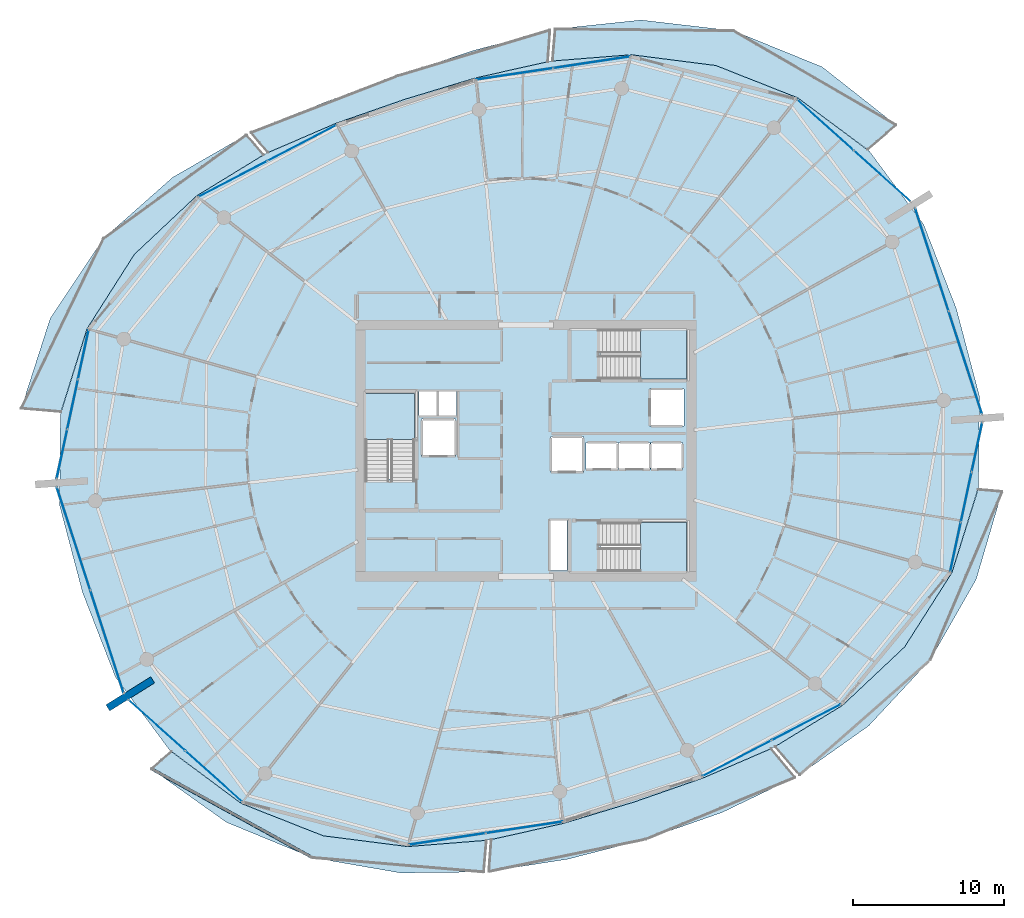
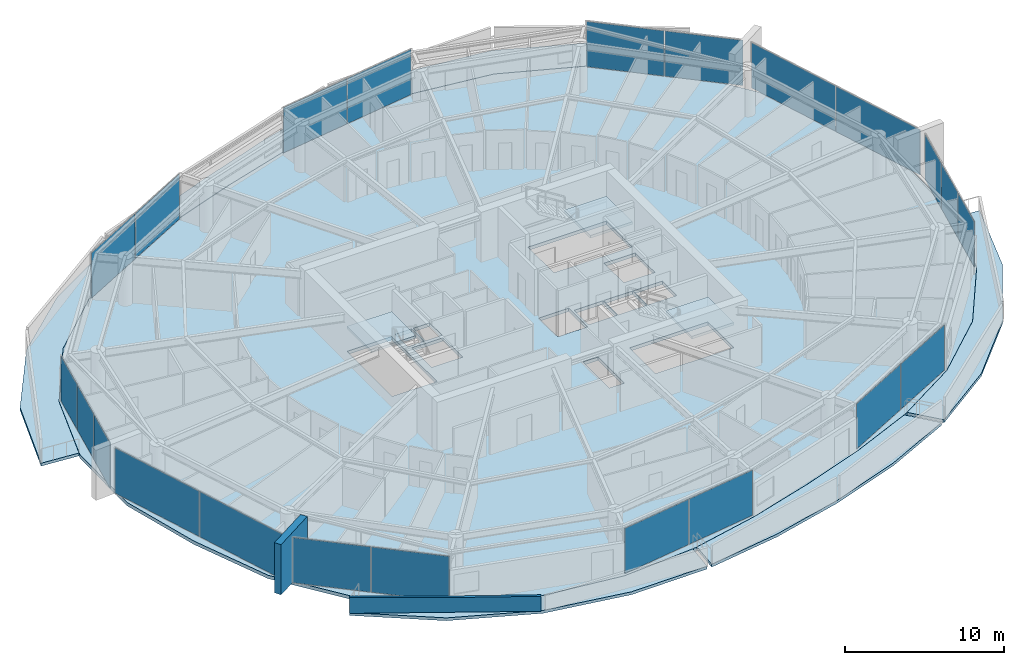
# One storey, part 17 of 31: 22 plates, 10 slabs, 2 walls, 13 elements without a shape of their own.
"""IFC4 building model written with IfcOpenShell, lengths in metres."""

import ifcopenshell
import ifcopenshell.guid

model = None  # the IFC model being written
_history = None  # IfcOwnerHistory: only IFC2X3 demands one
_inside = {}  # id of a spatial element -> (the spatial element, [elements in it])
_under = {}  # id of a project, library or spatial element -> (it, [spatial elements below it])
_declared = {}  # id of a project -> (the project, [libraries it declares])
_typed = {}  # id of a type object -> (the type object, [elements of that type])
_made_of = {}  # id of a material, layer set ... -> (it, [elements and type objects made of it])


def new_model(schema):
    """Start an empty IFC model of exactly this schema.

    Asked for "IFC4X3", IfcOpenShell would pick the latest addendum, in which some entities
    have other attributes; the version numbers below select the first issue.
    IFC2X3 requires an IfcOwnerHistory on every rooted entity: one is made here for all.
    """
    global model, _history
    if schema == "IFC4X3":
        model = ifcopenshell.file(schema_version=(4, 3, 0, 0))
    else:
        model = ifcopenshell.file(schema=schema)
    _inside.clear()
    _under.clear()
    _declared.clear()
    _typed.clear()
    _made_of.clear()
    _history = None
    if model.schema == "IFC2X3":
        org = make("IfcOrganization", Name="unknown")
        user = make(
            "IfcPersonAndOrganization",
            ThePerson=make("IfcPerson", FamilyName="unknown"),
            TheOrganization=org,
        )
        app = make(
            "IfcApplication",
            ApplicationDeveloper=org,
            Version="unknown",
            ApplicationFullName="unknown",
            ApplicationIdentifier="unknown",
        )
        _history = make(
            "IfcOwnerHistory",
            OwningUser=user,
            OwningApplication=app,
            ChangeAction="ADDED",
            CreationDate=0,
        )
    return model


def make(cls, **values):
    """One entity of the class cls with the attributes given. An attribute that is None is left unset."""
    return model.create_entity(
        cls, **{name: value for name, value in values.items() if value is not None}
    )


def rooted(cls, **values):
    """An entity with a GlobalId (a new one), such as an element, a storey or a relation."""
    return make(cls, GlobalId=ifcopenshell.guid.new(), OwnerHistory=_history, **values)


def si_unit(unit_type, name, prefix=None):
    """IfcSIUnit, for example si_unit("LENGTHUNIT", "METRE", prefix="MILLI")."""
    return make("IfcSIUnit", UnitType=unit_type, Prefix=prefix, Name=name)


def assignment(units):
    """IfcUnitAssignment: the units of a project."""
    return None if units is None else make("IfcUnitAssignment", Units=units)


def point(xyz):
    """IfcCartesianPoint."""
    return None if xyz is None else make("IfcCartesianPoint", Coordinates=xyz)


def direction(xyz):
    """IfcDirection."""
    return None if xyz is None else make("IfcDirection", DirectionRatios=xyz)


def frame(location, z_axis=None, x_axis=None):
    """IfcAxis2Placement3D, a coordinate frame: its origin and axes. An axis left out is left unset."""
    return make(
        "IfcAxis2Placement3D",
        Location=point(location),
        Axis=direction(z_axis),
        RefDirection=direction(x_axis),
    )


def frame_2d(location, x_axis=None):
    """IfcAxis2Placement2D, a coordinate frame in the plane: its origin and x axis."""
    return make(
        "IfcAxis2Placement2D", Location=point(location), RefDirection=direction(x_axis)
    )


def origin():
    """The frame at (0, 0, 0) with its axes left unset."""
    return frame((0.0, 0.0, 0.0))


def origin_2d():
    """The frame at (0, 0) in the plane with its x axis left unset."""
    return frame_2d((0.0, 0.0))


def place(relative_to, where):
    """IfcLocalPlacement: puts the frame where relative to a parent placement (None: the world)."""
    return make(
        "IfcLocalPlacement", PlacementRelTo=relative_to, RelativePlacement=where
    )


def context(
    kind, dimensions, precision=None, world=None, true_north=None, identifier=None
):
    """IfcGeometricRepresentationContext, for example the 3D "Model" context."""
    return make(
        "IfcGeometricRepresentationContext",
        ContextIdentifier=identifier,
        ContextType=kind,
        CoordinateSpaceDimension=dimensions,
        Precision=precision,
        WorldCoordinateSystem=world,
        TrueNorth=true_north,
    )


def subcontext(parent, identifier, kind, view, scale=None):
    """IfcGeometricRepresentationSubContext, for example "Body" below "Model"."""
    return make(
        "IfcGeometricRepresentationSubContext",
        ContextIdentifier=identifier,
        ContextType=kind,
        ParentContext=parent,
        TargetScale=scale,
        TargetView=view,
    )


def project(units=None, contexts=None):
    """IfcProject with its units and contexts."""
    return rooted(
        "IfcProject",
        Name="project",
        RepresentationContexts=contexts,
        UnitsInContext=assignment(units),
    )


def spatial(cls, under=None, at=None, **own):
    """A site, building, storey or space (cls), placed at a placement, below another one or the project."""
    s = rooted(cls, ObjectPlacement=at, **own)
    if under is not None:
        _under.setdefault(under.id(), (under, []))[1].append(s)
    return s


def polyline(points):
    """IfcPolyline through the points."""
    return make("IfcPolyline", Points=[point(p) for p in points])


def profile(cls, at=None, kind="AREA", **sizes):
    """A parametric profile (cls). Its sizes go by their IFC names, for example OverallWidth=200.0."""
    return make(cls, ProfileType=kind, Position=at, **sizes)


def rectangle(**sizes):
    """IfcRectangleProfileDef."""
    return profile("IfcRectangleProfileDef", **sizes)


def outline(outer, holes=None, kind="AREA"):
    """IfcArbitraryClosedProfileDef: a profile drawn as a closed curve; with holes, ...WithVoids."""
    if holes is None:
        return make("IfcArbitraryClosedProfileDef", ProfileType=kind, OuterCurve=outer)
    return make(
        "IfcArbitraryProfileDefWithVoids",
        ProfileType=kind,
        OuterCurve=outer,
        InnerCurves=holes,
    )


def extrude(swept, where, along, depth):
    """IfcExtrudedAreaSolid: the profile swept, set in the frame where, extruded along a direction by depth."""
    return make(
        "IfcExtrudedAreaSolid",
        SweptArea=swept,
        Position=where,
        ExtrudedDirection=direction(along),
        Depth=depth,
    )


def shape(context_of_items, identifier, shape_type, items):
    """IfcShapeRepresentation: the items that make up one representation, for example the "Body"."""
    return make(
        "IfcShapeRepresentation",
        ContextOfItems=context_of_items,
        RepresentationIdentifier=identifier,
        RepresentationType=shape_type,
        Items=items,
    )


def material(Name=None, Category=None):
    """IfcMaterial."""
    return make("IfcMaterial", Name=Name, Category=Category)


def layer(
    of_material, thickness, ventilated=None, Name=None, Category=None, Priority=None
):
    """IfcMaterialLayer: one layer of a wall or slab, of a material (None: an air gap)."""
    return make(
        "IfcMaterialLayer",
        Material=of_material,
        LayerThickness=thickness,
        IsVentilated=ventilated,
        Name=Name,
        Category=Category,
        Priority=Priority,
    )


def layer_set(layers, Name=None):
    """IfcMaterialLayerSet."""
    return make("IfcMaterialLayerSet", MaterialLayers=layers, LayerSetName=Name)


def made_of(thing, what):
    """Note that an element or type object is made of a material, layer set ...; save() writes the relation."""
    if what is not None:
        _made_of.setdefault(what.id(), (what, []))[1].append(thing)
    return thing


def type_object(cls, material=None, **own):
    """A type object (cls), such as IfcWallType, which elements share."""
    return made_of(rooted(cls, **own), material)


def element(
    cls,
    number,
    at=None,
    inside=None,
    cuts=None,
    type_object=None,
    material=None,
    context=None,
    identifier="Body",
    shape_type=None,
    held_by="IfcProductDefinitionShape",
    body=None,
    shapes=None,
    **own,
):
    """One element of the class cls, such as IfcWall. Its Tag is "e" and its number.

    at: its placement. inside: the storey or other place that contains it. cuts: it is an
    opening in that element (IfcRelVoidsElement). A single representation is given by context,
    identifier, shape_type and body (its items); several are given by shapes. held_by: the class
    of the entity that holds the representations. save() writes the other relations.
    """
    e = rooted(cls, Tag="e%d" % number, ObjectPlacement=at, **own)
    if body is not None:
        shapes = [shape(context, identifier, shape_type, body)]
    if shapes is not None:
        e.Representation = make(held_by, Representations=shapes)
    if inside is not None:
        _inside.setdefault(inside.id(), (inside, []))[1].append(e)
    if cuts is not None:
        rooted(
            "IfcRelVoidsElement", RelatingBuildingElement=cuts, RelatedOpeningElement=e
        )
    if type_object is not None:
        _typed.setdefault(type_object.id(), (type_object, []))[1].append(e)
    return made_of(e, material)


def aggregate(whole, parts):
    """IfcRelAggregates: a whole, such as a stair, and the parts it consists of."""
    return rooted("IfcRelAggregates", RelatingObject=whole, RelatedObjects=parts)


def save(model, path):
    """Write the relations noted so far, then the file.

    IfcRelAggregates (storeys below a building ...), IfcRelContainedInSpatialStructure (elements
    in a storey), IfcRelDefinesByType, IfcRelAssociatesMaterial and IfcRelDeclares: one each for
    every whole, place, type object, material and project.
    """
    for whole, parts in _under.values():
        aggregate(whole, parts)
    for where, things in _inside.values():
        rooted(
            "IfcRelContainedInSpatialStructure",
            RelatedElements=things,
            RelatingStructure=where,
        )
    for kind, things in _typed.values():
        rooted("IfcRelDefinesByType", RelatedObjects=things, RelatingType=kind)
    for what, things in _made_of.values():
        rooted("IfcRelAssociatesMaterial", RelatedObjects=things, RelatingMaterial=what)
    for by, libraries in _declared.values():
        rooted("IfcRelDeclares", RelatingContext=by, RelatedDefinitions=libraries)
    model.write(path)


model = new_model("IFC4")

# Units and contexts
model_context = context("Model", 3, precision=1e-05, world=origin(), true_north=direction((0.0, 1.0)))
body_context = subcontext(model_context, "Body", "Model", "MODEL_VIEW")
ifc_project = project(units=[si_unit("LENGTHUNIT", "METRE"), si_unit("AREAUNIT", "SQUARE_METRE"), si_unit("VOLUMEUNIT", "CUBIC_METRE"), si_unit("PLANEANGLEUNIT", "RADIAN"), si_unit("MASSUNIT", "GRAM", prefix="KILO")], contexts=[model_context])

# Site, building, storey
site_placement = place(None, origin())
site = spatial("IfcSite", under=ifc_project, at=site_placement, CompositionType="ELEMENT")
building_placement = place(site_placement, origin())
building = spatial("IfcBuilding", under=site, at=building_placement, Name="Kazma Halo Residences", CompositionType="ELEMENT")
storey_placement = place(building_placement, frame((0.0, 0.0, 259.800048828125)))
storey = spatial("IfcBuildingStorey", under=building, at=storey_placement, Name="L65", CompositionType="ELEMENT", Elevation=259.800048828125)

# Curtain wall, plates
ifc_material_1 = material(Name="Aluminium AW-6063 T6 and Triple-Silver Low-E Glass", Category="aluminium")
ifc_layer_1 = layer(ifc_material_1, 0.139892578125)
ifc_layer_set_1 = layer_set([ifc_layer_1], Name="Aluminium AW-6063 T6 and Triple-Silver Low-E Glass")
curtain_wall_type = type_object("IfcCurtainWallType", Name="CW-SYS-5", PredefinedType="NOTDEFINED", material=ifc_layer_set_1)
curtain_wall_1_placement = place(storey_placement, origin())
curtain_wall_1 = element("IfcCurtainWall", 1, at=curtain_wall_1_placement, inside=storey, type_object=curtain_wall_type, Name="L65 unitised curtain wall B01", PredefinedType="NOTDEFINED")
ifc_material_2 = material(Name="Clear Triple-Silver Low-E Glass IGU", Category="glass")
ifc_layer_2 = layer(ifc_material_2, 0.02587890625)
ifc_layer_set_2 = layer_set([ifc_layer_2], Name="Clear Triple-Silver Low-E Glass IGU")
plate_type = type_object("IfcPlateType", Name="CW-SYS-5-PNL", PredefinedType="CURTAIN_PANEL", material=ifc_layer_set_2)
plate_1_placement = place(storey_placement, frame((72.002685546875, 60.179443359375, 0.06005859375), z_axis=(0.0, 0.0, 1.0), x_axis=(-0.744336424671, 0.667804826958, 0.0)))
plate_1 = element("IfcPlate", 2, at=plate_1_placement, type_object=plate_type, Name="CWS-5 panel 1.1", PredefinedType="CURTAIN_PANEL", context=body_context, shape_type="SweptSolid", body=[
    extrude(rectangle(XDim=4.993408203125, YDim=0.02587890625, at=origin_2d()), origin(), (0.0, 0.0, 1.0), 3.469970703125),
])
plate_2_placement = place(storey_placement, frame((68.2412109375, 63.55419921875, 0.06005859375), z_axis=(0.0, 0.0, 1.0), x_axis=(-0.744336424671, 0.667804826958, 0.0)))
plate_2 = element("IfcPlate", 3, at=plate_2_placement, type_object=plate_type, Name="CWS-5 panel 2.1", PredefinedType="CURTAIN_PANEL", context=body_context, shape_type="SweptSolid", body=[
    extrude(rectangle(XDim=4.993408203125, YDim=0.02587890625, at=origin_2d()), origin(), (0.0, 0.0, 1.0), 3.469970703125),
])
aggregate(curtain_wall_1, [plate_1, plate_2])

curtain_wall_2_placement = place(storey_placement, origin())
curtain_wall_2 = element("IfcCurtainWall", 4, at=curtain_wall_2_placement, inside=storey, type_object=curtain_wall_type, Name="L65 unitised curtain wall B03", PredefinedType="NOTDEFINED")
plate_3_placement = place(storey_placement, frame((52.77783203125, 67.70361328125, 0.06005859375), z_axis=(0.0, 0.0, 1.0), x_axis=(-0.988882792998, -0.148697080374, 0.0)))
plate_3 = element("IfcPlate", 5, at=plate_3_placement, type_object=plate_type, Name="CWS-5 panel 1.1", PredefinedType="CURTAIN_PANEL", context=body_context, shape_type="SweptSolid", body=[
    extrude(rectangle(XDim=5.099853515625, YDim=0.02587890625, at=origin_2d()), origin(), (0.0, 0.0, 1.0), 3.469970703125),
])
plate_4_placement = place(storey_placement, frame((47.67529296875, 66.936279296875, 0.06005859375), z_axis=(0.0, 0.0, 1.0), x_axis=(-0.988882792998, -0.148697080374, 0.0)))
plate_4 = element("IfcPlate", 6, at=plate_4_placement, type_object=plate_type, Name="CWS-5 panel 2.1", PredefinedType="CURTAIN_PANEL", context=body_context, shape_type="SweptSolid", body=[
    extrude(rectangle(XDim=5.099853515625, YDim=0.02587890625, at=origin_2d()), origin(), (0.0, 0.0, 1.0), 3.469970703125),
])
aggregate(curtain_wall_2, [plate_3, plate_4])

curtain_wall_3_placement = place(storey_placement, origin())
curtain_wall_3 = element("IfcCurtainWall", 7, at=curtain_wall_3_placement, inside=storey, type_object=curtain_wall_type, Name="L65 unitised curtain wall B05", PredefinedType="NOTDEFINED")
plate_5_placement = place(storey_placement, frame((33.60546875, 62.36474609375, 0.06005859375), z_axis=(0.0, 0.0, 1.0), x_axis=(-0.887420518694, -0.460960760804, 0.0)))
plate_5 = element("IfcPlate", 8, at=plate_5_placement, type_object=plate_type, Name="CWS-5 panel 1.1", PredefinedType="CURTAIN_PANEL", context=body_context, shape_type="SweptSolid", body=[
    extrude(rectangle(XDim=5.099609375, YDim=0.02587890625, at=origin_2d()), origin(), (0.0, 0.0, 1.0), 3.469970703125),
])
plate_6_placement = place(storey_placement, frame((29.026611328125, 59.986328125, 0.06005859375), z_axis=(0.0, 0.0, 1.0), x_axis=(-0.887420518694, -0.460960760804, 0.0)))
plate_6 = element("IfcPlate", 9, at=plate_6_placement, type_object=plate_type, Name="CWS-5 panel 2.1", PredefinedType="CURTAIN_PANEL", context=body_context, shape_type="SweptSolid", body=[
    extrude(rectangle(XDim=5.099609375, YDim=0.02587890625, at=origin_2d()), origin(), (0.0, 0.0, 1.0), 3.469970703125),
])
aggregate(curtain_wall_3, [plate_5, plate_6])

curtain_wall_4_placement = place(storey_placement, origin())
curtain_wall_4 = element("IfcCurtainWall", 10, at=curtain_wall_4_placement, inside=storey, type_object=curtain_wall_type, Name="L65 unitised curtain wall B07", PredefinedType="NOTDEFINED")
plate_7_placement = place(storey_placement, frame((19.133056640625, 48.36865234375, 0.06005859375), z_axis=(0.0, 0.0, 1.0), x_axis=(-0.209657382603, -0.97777491373, 0.0)))
plate_7 = element("IfcPlate", 11, at=plate_7_placement, type_object=plate_type, Name="CWS-5 panel 1.1", PredefinedType="CURTAIN_PANEL", context=body_context, shape_type="SweptSolid", body=[
    extrude(rectangle(XDim=3.299072265625, YDim=0.02587890625, at=origin_2d()), origin(), (0.0, 0.0, 1.0), 3.469970703125),
])
plate_8_placement = place(storey_placement, frame((18.42578125, 45.069580078125, 0.06005859375), z_axis=(0.0, 0.0, 1.0), x_axis=(-0.209657382603, -0.97777491373, 0.0)))
plate_8 = element("IfcPlate", 12, at=plate_8_placement, type_object=plate_type, Name="CWS-5 panel 2.1", PredefinedType="CURTAIN_PANEL", context=body_context, shape_type="SweptSolid", body=[
    extrude(rectangle(XDim=3.3291015625, YDim=0.02587890625, at=origin_2d()), origin(), (0.0, 0.0, 1.0), 3.469970703125),
])
plate_9_placement = place(storey_placement, frame((17.71826171875, 41.7705078125, 0.06005859375), z_axis=(0.0, 0.0, 1.0), x_axis=(-0.209657382603, -0.97777491373, 0.0)))
plate_9 = element("IfcPlate", 13, at=plate_9_placement, type_object=plate_type, Name="CWS-5 panel 3.1", PredefinedType="CURTAIN_PANEL", context=body_context, shape_type="SweptSolid", body=[
    extrude(rectangle(XDim=3.299072265625, YDim=0.02587890625, at=origin_2d()), origin(), (0.0, 0.0, 1.0), 3.469970703125),
])
aggregate(curtain_wall_4, [plate_7, plate_8, plate_9])

curtain_wall_5_placement = place(storey_placement, origin())
curtain_wall_5 = element("IfcCurtainWall", 14, at=curtain_wall_5_placement, inside=storey, type_object=curtain_wall_type, Name="L65 unitised curtain wall B08", PredefinedType="NOTDEFINED")
plate_10_placement = place(storey_placement, frame((18.48486328125, 36.1787109375, 0.06005859375), z_axis=(0.0, 0.0, 1.0), x_axis=(0.309010998786, -0.951058464359, 0.0)))
plate_10 = element("IfcPlate", 15, at=plate_10_placement, type_object=plate_type, Name="CWS-5 panel 1.1", PredefinedType="CURTAIN_PANEL", context=body_context, shape_type="SweptSolid", body=[
    extrude(rectangle(XDim=7.108642578125, YDim=0.02587890625, at=origin_2d()), origin(), (0.0, 0.0, 1.0), 3.469970703125),
])
plate_11_placement = place(storey_placement, frame((20.699951171875, 29.36083984375, 0.06005859375), z_axis=(0.0, 0.0, 1.0), x_axis=(0.309010998786, -0.951058464359, 0.0)))
plate_11 = element("IfcPlate", 16, at=plate_11_placement, type_object=plate_type, Name="CWS-5 panel 2.1", PredefinedType="CURTAIN_PANEL", context=body_context, shape_type="SweptSolid", body=[
    extrude(rectangle(XDim=7.108642578125, YDim=0.02587890625, at=origin_2d()), origin(), (0.0, 0.0, 1.0), 3.469970703125),
])
aggregate(curtain_wall_5, [plate_10, plate_11])

curtain_wall_6_placement = place(storey_placement, origin())
curtain_wall_6 = element("IfcCurtainWall", 17, at=curtain_wall_6_placement, inside=storey, type_object=curtain_wall_type, Name="L65 unitised curtain wall B09", PredefinedType="NOTDEFINED")
plate_12_placement = place(storey_placement, frame((23.997314453125, 23.820556640625, 0.06005859375), z_axis=(0.0, 0.0, 1.0), x_axis=(0.744336424671, -0.667804826958, 0.0)))
plate_12 = element("IfcPlate", 18, at=plate_12_placement, type_object=plate_type, Name="CWS-5 panel 1.1", PredefinedType="CURTAIN_PANEL", context=body_context, shape_type="SweptSolid", body=[
    extrude(rectangle(XDim=4.993408203125, YDim=0.02587890625, at=origin_2d()), origin(), (0.0, 0.0, 1.0), 3.469970703125),
])
plate_13_placement = place(storey_placement, frame((27.7587890625, 20.44580078125, 0.06005859375), z_axis=(0.0, 0.0, 1.0), x_axis=(0.744336424671, -0.667804826958, 0.0)))
plate_13 = element("IfcPlate", 19, at=plate_13_placement, type_object=plate_type, Name="CWS-5 panel 2.1", PredefinedType="CURTAIN_PANEL", context=body_context, shape_type="SweptSolid", body=[
    extrude(rectangle(XDim=4.993408203125, YDim=0.02587890625, at=origin_2d()), origin(), (0.0, 0.0, 1.0), 3.469970703125),
])
aggregate(curtain_wall_6, [plate_12, plate_13])

curtain_wall_7_placement = place(storey_placement, origin())
curtain_wall_7 = element("IfcCurtainWall", 20, at=curtain_wall_7_placement, inside=storey, type_object=curtain_wall_type, Name="L65 unitised curtain wall B11", PredefinedType="NOTDEFINED")
plate_14_placement = place(storey_placement, frame((43.22216796875, 16.29638671875, 0.06005859375), z_axis=(0.0, 0.0, 1.0), x_axis=(0.988882792998, 0.148697080374, 0.0)))
plate_14 = element("IfcPlate", 21, at=plate_14_placement, type_object=plate_type, Name="CWS-5 panel 1.1", PredefinedType="CURTAIN_PANEL", context=body_context, shape_type="SweptSolid", body=[
    extrude(rectangle(XDim=5.099853515625, YDim=0.02587890625, at=origin_2d()), origin(), (0.0, 0.0, 1.0), 3.469970703125),
])
plate_15_placement = place(storey_placement, frame((48.32470703125, 17.063720703125, 0.06005859375), z_axis=(0.0, 0.0, 1.0), x_axis=(0.988882792998, 0.148697080374, 0.0)))
plate_15 = element("IfcPlate", 22, at=plate_15_placement, type_object=plate_type, Name="CWS-5 panel 2.1", PredefinedType="CURTAIN_PANEL", context=body_context, shape_type="SweptSolid", body=[
    extrude(rectangle(XDim=5.099853515625, YDim=0.02587890625, at=origin_2d()), origin(), (0.0, 0.0, 1.0), 3.469970703125),
])
aggregate(curtain_wall_7, [plate_14, plate_15])

curtain_wall_8_placement = place(storey_placement, origin())
curtain_wall_8 = element("IfcCurtainWall", 23, at=curtain_wall_8_placement, inside=storey, type_object=curtain_wall_type, Name="L65 unitised curtain wall B13", PredefinedType="NOTDEFINED")
plate_16_placement = place(storey_placement, frame((62.39453125, 21.63525390625, 0.06005859375), z_axis=(0.0, 0.0, 1.0), x_axis=(0.887420518694, 0.460960760804, 0.0)))
plate_16 = element("IfcPlate", 24, at=plate_16_placement, type_object=plate_type, Name="CWS-5 panel 1.1", PredefinedType="CURTAIN_PANEL", context=body_context, shape_type="SweptSolid", body=[
    extrude(rectangle(XDim=5.099609375, YDim=0.02587890625, at=origin_2d()), origin(), (0.0, 0.0, 1.0), 3.469970703125),
])
plate_17_placement = place(storey_placement, frame((66.973388671875, 24.013671875, 0.06005859375), z_axis=(0.0, 0.0, 1.0), x_axis=(0.887420518694, 0.460960760804, 0.0)))
plate_17 = element("IfcPlate", 25, at=plate_17_placement, type_object=plate_type, Name="CWS-5 panel 2.1", PredefinedType="CURTAIN_PANEL", context=body_context, shape_type="SweptSolid", body=[
    extrude(rectangle(XDim=5.099609375, YDim=0.02587890625, at=origin_2d()), origin(), (0.0, 0.0, 1.0), 3.469970703125),
])
aggregate(curtain_wall_8, [plate_16, plate_17])

curtain_wall_9_placement = place(storey_placement, origin())
curtain_wall_9 = element("IfcCurtainWall", 26, at=curtain_wall_9_placement, inside=storey, type_object=curtain_wall_type, Name="L65 unitised curtain wall B15", PredefinedType="NOTDEFINED")
plate_18_placement = place(storey_placement, frame((76.866943359375, 35.63134765625, 0.06005859375), z_axis=(0.0, 0.0, 1.0), x_axis=(0.209657382603, 0.97777491373, 0.0)))
plate_18 = element("IfcPlate", 27, at=plate_18_placement, type_object=plate_type, Name="CWS-5 panel 1.1", PredefinedType="CURTAIN_PANEL", context=body_context, shape_type="SweptSolid", body=[
    extrude(rectangle(XDim=3.299072265625, YDim=0.02587890625, at=origin_2d()), origin(), (0.0, 0.0, 1.0), 3.469970703125),
])
plate_19_placement = place(storey_placement, frame((77.57421875, 38.930419921875, 0.06005859375), z_axis=(0.0, 0.0, 1.0), x_axis=(0.209657382603, 0.97777491373, 0.0)))
plate_19 = element("IfcPlate", 28, at=plate_19_placement, type_object=plate_type, Name="CWS-5 panel 2.1", PredefinedType="CURTAIN_PANEL", context=body_context, shape_type="SweptSolid", body=[
    extrude(rectangle(XDim=3.3291015625, YDim=0.02587890625, at=origin_2d()), origin(), (0.0, 0.0, 1.0), 3.469970703125),
])
plate_20_placement = place(storey_placement, frame((78.28173828125, 42.2294921875, 0.06005859375), z_axis=(0.0, 0.0, 1.0), x_axis=(0.209657382603, 0.97777491373, 0.0)))
plate_20 = element("IfcPlate", 29, at=plate_20_placement, type_object=plate_type, Name="CWS-5 panel 3.1", PredefinedType="CURTAIN_PANEL", context=body_context, shape_type="SweptSolid", body=[
    extrude(rectangle(XDim=3.299072265625, YDim=0.02587890625, at=origin_2d()), origin(), (0.0, 0.0, 1.0), 3.469970703125),
])
aggregate(curtain_wall_9, [plate_18, plate_19, plate_20])

curtain_wall_10_placement = place(storey_placement, origin())
curtain_wall_10 = element("IfcCurtainWall", 30, at=curtain_wall_10_placement, inside=storey, type_object=curtain_wall_type, Name="L65 unitised curtain wall B16", PredefinedType="NOTDEFINED")
plate_21_placement = place(storey_placement, frame((77.51513671875, 47.8212890625, 0.06005859375), z_axis=(0.0, 0.0, 1.0), x_axis=(-0.309010998786, 0.951058464359, 0.0)))
plate_21 = element("IfcPlate", 31, at=plate_21_placement, type_object=plate_type, Name="CWS-5 panel 1.1", PredefinedType="CURTAIN_PANEL", context=body_context, shape_type="SweptSolid", body=[
    extrude(rectangle(XDim=7.108642578125, YDim=0.02587890625, at=origin_2d()), origin(), (0.0, 0.0, 1.0), 3.469970703125),
])
plate_22_placement = place(storey_placement, frame((75.300048828125, 54.63916015625, 0.06005859375), z_axis=(0.0, 0.0, 1.0), x_axis=(-0.309010998786, 0.951058464359, 0.0)))
plate_22 = element("IfcPlate", 32, at=plate_22_placement, type_object=plate_type, Name="CWS-5 panel 2.1", PredefinedType="CURTAIN_PANEL", context=body_context, shape_type="SweptSolid", body=[
    extrude(rectangle(XDim=7.108642578125, YDim=0.02587890625, at=origin_2d()), origin(), (0.0, 0.0, 1.0), 3.469970703125),
])
aggregate(curtain_wall_10, [plate_21, plate_22])

# Slabs
ifc_material_3 = material(Name="White Concrete C50/60", Category="concrete")
ifc_layer_3 = layer(ifc_material_3, 0.219970703125)
ifc_layer_set_3 = layer_set([ifc_layer_3], Name="White Concrete C50/60")
slab_type_1 = type_object("IfcSlabType", Name="SLB-BAL-WAVE-210", PredefinedType="FLOOR", material=ifc_layer_set_3)
slab_1_placement = place(storey_placement, frame((0.0, 0.0, -0.219970703125)))
element("IfcSlab", 33, at=slab_1_placement, inside=storey, type_object=slab_type_1, Name="L65 NE cantilevered wave balcony slab", PredefinedType="FLOOR", context=body_context, shape_type="SweptSolid", body=[
    extrude(outline(polyline([(71.0400390625, 61.9228515625), (66.41357421875, 65.357421875), (60.990478515625, 67.49560546875), (55.3916015625, 68.208984375), (50.188720703125, 67.794189453125), (50.367919921875, 69.906494140625), (56.03955078125, 70.50634765625), (62.1611328125, 69.79296875), (68.028076171875, 67.405517578125), (72.927490234375, 63.554931640625), (71.0400390625, 61.9228515625)])), origin(), (0.0, 0.0, 1.0), 0.219970703125),
])
slab_2_placement = place(storey_placement, frame((0.0, 0.0, -0.219970703125)))
element("IfcSlab", 34, at=slab_2_placement, inside=storey, type_object=slab_type_1, Name="L65 NNW cantilevered wave balcony slab", PredefinedType="FLOOR", context=body_context, shape_type="SweptSolid", body=[
    extrude(outline(polyline([(49.8681640625, 67.74609375), (45.080078125, 66.66943359375), (40.43994140625, 65.267333984375), (35.86181640625, 63.67431640625), (31.35546875, 61.731201171875), (30.2392578125, 63.05419921875), (35.0859375, 65.059814453125), (39.940185546875, 66.805908203125), (44.867431640625, 68.466064453125), (50.019775390625, 69.83642578125), (49.8681640625, 67.74609375)])), origin(), (0.0, 0.0, 1.0), 0.219970703125),
])
slab_3_placement = place(storey_placement, frame((0.0, 0.0, -0.219970703125)))
element("IfcSlab", 35, at=slab_3_placement, inside=storey, type_object=slab_type_1, Name="L65 NW cantilevered wave balcony slab", PredefinedType="FLOOR", context=body_context, shape_type="SweptSolid", body=[
    extrude(outline(polyline([(31.06787109375, 61.58154296875), (26.614501953125, 58.85888671875), (22.50439453125, 54.990478515625), (19.3740234375, 50.0732421875), (17.64990234375, 44.5751953125), (15.0185546875, 44.798583984375), (16.938720703125, 50.76025390625), (20.4580078125, 56.033447265625), (25.046630859375, 60.094970703125), (29.923583984375, 62.90478515625), (31.06787109375, 61.58154296875)])), origin(), (0.0, 0.0, 1.0), 0.219970703125),
])
slab_4_placement = place(storey_placement, frame((0.0, 0.0, -0.219970703125)))
element("IfcSlab", 36, at=slab_4_placement, inside=storey, type_object=slab_type_1, Name="L65 SW cantilevered wave balcony slab", PredefinedType="FLOOR", context=body_context, shape_type="SweptSolid", body=[
    extrude(outline(polyline([(24.9599609375, 22.0771484375), (29.58642578125, 18.642578125), (35.009521484375, 16.50439453125), (40.6083984375, 15.791015625), (45.811279296875, 16.205810546875), (45.6337890625, 14.112548828125), (40.1171875, 14.0498046875), (34.27490234375, 15.063232421875), (28.603515625, 17.3955078125), (23.638916015625, 20.934814453125), (24.9599609375, 22.0771484375)])), origin(), (0.0, 0.0, 1.0), 0.219970703125),
])
slab_5_placement = place(storey_placement, frame((0.0, 0.0, -0.219970703125)))
element("IfcSlab", 37, at=slab_5_placement, inside=storey, type_object=slab_type_1, Name="L65 SSE cantilevered wave balcony slab", PredefinedType="FLOOR", context=body_context, shape_type="SweptSolid", body=[
    extrude(outline(polyline([(46.1318359375, 16.25390625), (50.919921875, 17.33056640625), (55.56005859375, 18.732666015625), (60.13818359375, 20.32568359375), (64.64453125, 22.268798828125), (66.243408203125, 20.37353515625), (61.41259765625, 18.05029296875), (56.356689453125, 16.280517578125), (51.200439453125, 14.960205078125), (45.97900390625, 14.14453125), (46.1318359375, 16.25390625)])), origin(), (0.0, 0.0, 1.0), 0.219970703125),
])
slab_6_placement = place(storey_placement, frame((0.0, 0.0, -0.219970703125)))
element("IfcSlab", 38, at=slab_6_placement, inside=storey, type_object=slab_type_1, Name="L65 SE cantilevered wave balcony slab", PredefinedType="FLOOR", context=body_context, shape_type="SweptSolid", body=[
    extrude(outline(polyline([(64.93212890625, 22.41845703125), (69.385498046875, 25.14111328125), (73.49560546875, 29.009521484375), (76.6259765625, 33.9267578125), (78.35009765625, 39.4248046875), (79.9453125, 39.289306640625), (78.22900390625, 33.474609375), (75.1875, 28.147216796875), (71.112548828125, 23.779541015625), (66.54833984375, 20.54931640625), (64.93212890625, 22.41845703125)])), origin(), (0.0, 0.0, 1.0), 0.219970703125),
])
ifc_material_4 = material(Name="Concrete C50/60", Category="concrete")
ifc_layer_4 = layer(ifc_material_4, 0.260009765625)
ifc_layer_set_4 = layer_set([ifc_layer_4], Name="Concrete C50/60")
slab_type_2 = type_object("IfcSlabType", Name="SLB-RES-260", PredefinedType="FLOOR", material=ifc_layer_set_4)
slab_7_placement = place(storey_placement, frame((0.0, 0.0, -0.260009765625)))
element("IfcSlab", 39, at=slab_7_placement, inside=storey, type_object=slab_type_2, Name="L65 structural floor slab", PredefinedType="FLOOR", context=body_context, shape_type="SweptSolid", body=[
    extrude(outline(polyline([(76.9189453125, 51.396240234375), (74.749755859375, 56.980712890625), (71.180419921875, 61.7978515625), (66.412109375, 65.355712890625), (60.98974609375, 67.49365234375), (55.39111328125, 68.207275390625), (50.02880859375, 67.7783203125), (45.080322265625, 66.66748046875), (40.440673828125, 65.265380859375), (35.86279296875, 63.672607421875), (31.20654296875, 61.66259765625), (26.6162109375, 58.857666015625), (22.50634765625, 54.98974609375), (19.3759765625, 50.07275390625), (17.60986328125, 44.391845703125), (17.5537109375, 38.396484375), (19.0810546875, 32.603759765625), (21.250244140625, 27.019287109375), (24.819580078125, 22.2021484375), (29.587890625, 18.644287109375), (35.01025390625, 16.50634765625), (40.60888671875, 15.792724609375), (45.97119140625, 16.2216796875), (50.919677734375, 17.33251953125), (55.559326171875, 18.734619140625), (60.13720703125, 20.327392578125), (64.79345703125, 22.33740234375), (69.3837890625, 25.142333984375), (73.49365234375, 29.01025390625), (76.6240234375, 33.92724609375), (78.39013671875, 39.608154296875), (78.4462890625, 45.603515625), (76.9189453125, 51.396240234375)]), holes=[polyline([(37.800048828125, 40.110107421875), (41.050048828125, 40.110107421875), (41.050048828125, 45.800048828125), (37.800048828125, 45.800048828125), (37.800048828125, 40.110107421875)]), polyline([(53.360107421875, 46.75), (59.050048828125, 46.75), (59.050048828125, 50.0), (53.360107421875, 50.0), (53.360107421875, 46.75)]), polyline([(53.360107421875, 34.0), (59.050048828125, 34.0), (59.050048828125, 37.25), (53.360107421875, 37.25), (53.360107421875, 34.0)]), polyline([(41.52001953125, 41.6201171875), (43.780029296875, 41.6201171875), (43.780029296875, 44.080078125), (41.52001953125, 44.080078125), (41.52001953125, 41.6201171875)]), polyline([(56.6201171875, 43.6201171875), (58.8798828125, 43.6201171875), (58.8798828125, 46.080078125), (56.6201171875, 46.080078125), (56.6201171875, 43.6201171875)]), polyline([(52.39501953125, 40.7451171875), (54.5048828125, 40.7451171875), (54.5048828125, 42.554931640625), (52.39501953125, 42.554931640625), (52.39501953125, 40.7451171875)]), polyline([(54.544921875, 40.7451171875), (56.655029296875, 40.7451171875), (56.655029296875, 42.554931640625), (54.544921875, 42.554931640625), (54.544921875, 40.7451171875)]), polyline([(56.695068359375, 40.7451171875), (58.804931640625, 40.7451171875), (58.804931640625, 42.554931640625), (56.695068359375, 42.554931640625), (56.695068359375, 40.7451171875)]), polyline([(50.070068359375, 40.570068359375), (52.22998046875, 40.570068359375), (52.22998046875, 42.929931640625), (50.070068359375, 42.929931640625), (50.070068359375, 40.570068359375)]), polyline([(41.360107421875, 44.340087890625), (42.5400390625, 44.340087890625), (42.5400390625, 45.89990234375), (41.360107421875, 45.89990234375), (41.360107421875, 44.340087890625)]), polyline([(42.659912109375, 44.340087890625), (43.840087890625, 44.340087890625), (43.840087890625, 45.89990234375), (42.659912109375, 45.89990234375), (42.659912109375, 44.340087890625)]), polyline([(50.06005859375, 34.080078125), (51.159912109375, 34.080078125), (51.159912109375, 37.3798828125), (50.06005859375, 37.3798828125), (50.06005859375, 34.080078125)])]), origin(), (0.0, 0.0, 1.0), 0.260009765625),
])

# Stair, slab
stair_type = type_object("IfcStairType", Name="STR-RES2", PredefinedType="HALF_TURN_STAIR", material=ifc_material_4)
stair_1_placement = place(storey_placement, origin())
stair_1 = element("IfcStair", 40, at=stair_1_placement, inside=storey, type_object=stair_type, Name="L65 Core exit stair ST-01", PredefinedType="HALF_TURN_STAIR")
ifc_layer_5 = layer(ifc_material_4, 0.199951171875)
ifc_layer_set_5 = layer_set([ifc_layer_5], Name="Concrete C50/60")
slab_type_3 = type_object("IfcSlabType", Name="SLB-STAIR-LND-200", PredefinedType="LANDING", material=ifc_layer_set_5)
slab_8_placement = place(storey_placement, frame((0.0, 0.0, 1.724853515625)))
slab_8 = element("IfcSlab", 41, at=slab_8_placement, type_object=slab_type_3, Name="ST-01 landing 1", PredefinedType="LANDING", context=body_context, shape_type="SweptSolid", body=[
    extrude(outline(polyline([(41.050048828125, 42.75), (41.050048828125, 45.800048828125), (37.800048828125, 45.800048828125), (37.800048828125, 42.75), (41.050048828125, 42.75)])), origin(), (0.0, 0.0, 1.0), 0.2001953125),
])
aggregate(stair_1, [slab_8])

stair_2_placement = place(storey_placement, origin())
stair_2 = element("IfcStair", 42, at=stair_2_placement, inside=storey, type_object=stair_type, Name="L65 Core exit stair ST-02", PredefinedType="HALF_TURN_STAIR")
slab_9_placement = place(storey_placement, frame((0.0, 0.0, 1.724853515625)))
slab_9 = element("IfcSlab", 43, at=slab_9_placement, type_object=slab_type_3, Name="ST-02 landing 1", PredefinedType="LANDING", context=body_context, shape_type="SweptSolid", body=[
    extrude(outline(polyline([(56.0, 46.75), (59.050048828125, 46.75), (59.050048828125, 50.0), (56.0, 50.0), (56.0, 46.75)])), origin(), (0.0, 0.0, 1.0), 0.2001953125),
])
aggregate(stair_2, [slab_9])

stair_3_placement = place(storey_placement, origin())
stair_3 = element("IfcStair", 44, at=stair_3_placement, inside=storey, type_object=stair_type, Name="L65 Core exit stair ST-03", PredefinedType="HALF_TURN_STAIR")
slab_10_placement = place(storey_placement, frame((0.0, 0.0, 1.724853515625)))
slab_10 = element("IfcSlab", 45, at=slab_10_placement, type_object=slab_type_3, Name="ST-03 landing 1", PredefinedType="LANDING", context=body_context, shape_type="SweptSolid", body=[
    extrude(outline(polyline([(56.0, 34.0), (59.050048828125, 34.0), (59.050048828125, 37.25), (56.0, 37.25), (56.0, 34.0)])), origin(), (0.0, 0.0, 1.0), 0.2001953125),
])
aggregate(stair_3, [slab_10])

# Walls
ifc_material_5 = material(Name="White Concrete C50/60 Balustrade", Category="concrete")
ifc_layer_6 = layer(ifc_material_5, 0.179931640625)
ifc_layer_set_6 = layer_set([ifc_layer_6], Name="White Concrete C50/60 Balustrade")
wall_type_1 = type_object("IfcWallType", Name="WL-BAL-WAVE-180", PredefinedType="PARAPET", material=ifc_layer_set_6)
wall_1_placement = place(storey_placement, frame((23.638916015625, 20.934814453125, 0.0), z_axis=(0.0, 0.0, 1.0), x_axis=(0.875454216257, -0.483301060663, 0.0)))
element("IfcWall", 46, at=wall_1_placement, inside=storey, type_object=wall_type_1, Name="L65 white wave balustrade wall SW.1", PredefinedType="PARAPET", context=body_context, shape_type="SweptSolid", body=[
    extrude(outline(polyline([(0.0, 0.0), (12.029296875, 0.0), (12.029296875, 1.14794921875), (6.0146484375, 1.126953125), (0.0, 1.223876953125), (0.0, 0.0)])), frame((0.0, 0.08984375, 0.0), z_axis=(0.0, -1.0, 0.0), x_axis=(1.0, 0.0, 0.0)), (0.0, 0.0, 1.0), 0.179931640625),
])
ifc_material_6 = material(Name="Pale Concrete C60/75", Category="concrete")
ifc_layer_7 = layer(ifc_material_6, 0.47998046875)
ifc_layer_set_7 = layer_set([ifc_layer_7], Name="Pale Concrete C60/75")
wall_type_2 = type_object("IfcWallType", Name="WL-BLADE-480", PredefinedType="SOLIDWALL", material=ifc_layer_set_7)
wall_2_placement = place(storey_placement, frame((23.718505859375, 26.827392578125, 0.0), z_axis=(0.0, 0.0, 1.0), x_axis=(-0.848033572426, -0.529942506352, 0.0)))
element("IfcWall", 47, at=wall_2_placement, inside=storey, type_object=wall_type_2, Name="L65 pale concrete structural blade fin wall BW-03", PredefinedType="SOLIDWALL", context=body_context, shape_type="SweptSolid", body=[
    extrude(rectangle(XDim=3.5, YDim=0.47998046875, at=frame_2d((1.75, 0.0))), origin(), (0.0, 0.0, 1.0), 3.849853515625),
])

save(model, "model.ifc")
